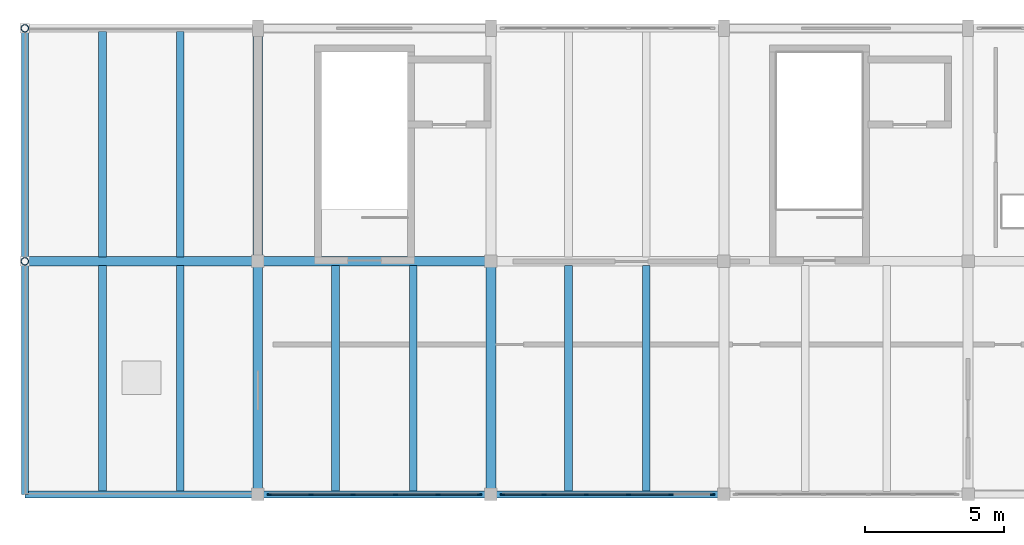
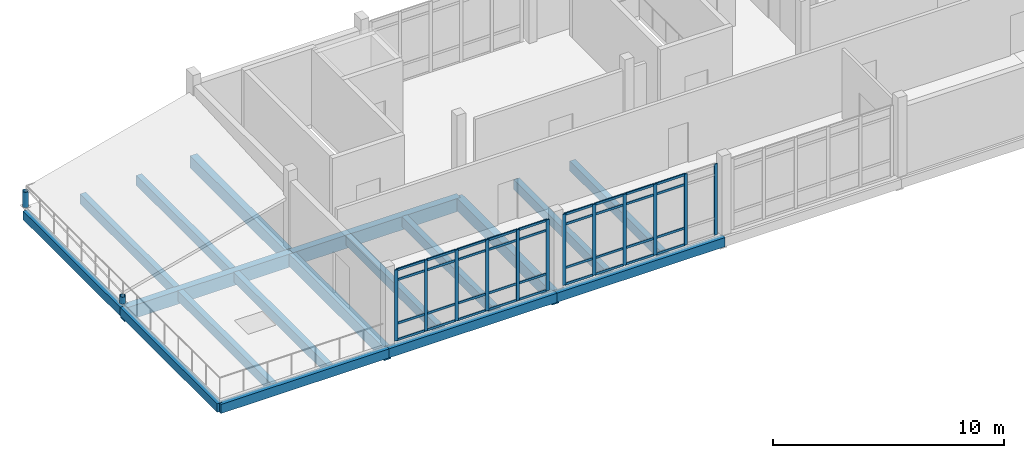
# One storey, part 2 of 13: 48 members, 18 beams, 2 columns, 2 elements without a shape of their own.
"""IFC4 building model written with IfcOpenShell, lengths in metres."""

from ifc_helpers import new_model, si_unit, direction, frame, origin, origin_2d, place, context, subcontext, project, spatial, rectangle, hollow_circle, extrude, material, material_profile, profile_set, type_object, element, aggregate, save


model = new_model("IFC4")

# Units and contexts
model_context = context("Model", 3, precision=1e-05, world=origin(), true_north=direction((0.0, 1.0)))
body_context = subcontext(model_context, "Body", "Model", "MODEL_VIEW")
ifc_project = project(units=[si_unit("LENGTHUNIT", "METRE"), si_unit("AREAUNIT", "SQUARE_METRE"), si_unit("VOLUMEUNIT", "CUBIC_METRE"), si_unit("PLANEANGLEUNIT", "RADIAN"), si_unit("MASSUNIT", "GRAM", prefix="KILO")], contexts=[model_context])

# Site, building, storey
site_placement = place(None, origin())
site = spatial("IfcSite", under=ifc_project, at=site_placement, CompositionType="ELEMENT")
building_placement = place(site_placement, origin())
building = spatial("IfcBuilding", under=site, at=building_placement, Name="Cinderway Yard Community Centre", CompositionType="ELEMENT")
storey_placement = place(building_placement, frame((0.0, 0.0, 20.10009765625)))
storey = spatial("IfcBuildingStorey", under=building, at=storey_placement, Name="L05", CompositionType="ELEMENT", Elevation=20.10009765625)

# Columns
ifc_material_1 = material(Name="Steel S355", Category="steel")
ifc_material_profile_1 = material_profile(ifc_material_1, hollow_circle(Radius=0.136474609375, WallThickness=0.012451171875, at=origin_2d()), Name="Steel S355")
ifc_profile_set_1 = profile_set([ifc_material_profile_1], Name="Steel S355")
column_type = type_object("IfcColumnType", Name="STR-POST-CHS273", PredefinedType="PILASTER", material=ifc_profile_set_1)
column_1_placement = place(storey_placement, frame((50.0, 106.800048828125, 0.0), z_axis=(0.0, 0.0, 1.0), x_axis=(1.0, 0.0, 0.0)))
element("IfcColumn", 1, at=column_1_placement, inside=storey, type_object=column_type, Name="V4 SHARD-W edge post 106", PredefinedType="PILASTER", context=body_context, shape_type="SweptSolid", body=[
    extrude(hollow_circle(Radius=0.136474609375, WallThickness=0.012451171875, at=origin_2d()), origin(), (0.0, 0.0, 1.0), 0.369873046875),
])
column_2_placement = place(storey_placement, frame((50.0, 115.199951171875, 0.0), z_axis=(0.0, 0.0, 1.0), x_axis=(1.0, 0.0, 0.0)))
element("IfcColumn", 2, at=column_2_placement, inside=storey, type_object=column_type, Name="V4 SHARD-W edge post 115", PredefinedType="PILASTER", context=body_context, shape_type="SweptSolid", body=[
    extrude(hollow_circle(Radius=0.136474609375, WallThickness=0.012451171875, at=origin_2d()), origin(), (0.0, 0.0, 1.0), 0.81982421875),
])

# Curtain wall, members
ifc_material_2 = material(Name="Aluminium 6063-T6", Category="aluminium")
curtain_wall_type = type_object("IfcCurtainWallType", Name="ENV-CW-TYPE-26", PredefinedType="USERDEFINED", material=ifc_material_2)
curtain_wall_1_placement = place(storey_placement, origin())
curtain_wall_1 = element("IfcCurtainWall", 3, at=curtain_wall_1_placement, inside=storey, type_object=curtain_wall_type, Name="V4 Courtyard Curtain Wall ENV-CW-L05-ST-0188", ObjectType="GLAZED CURTAIN WALL", PredefinedType="USERDEFINED")
ifc_material_profile_2 = material_profile(ifc_material_2, rectangle(XDim=0.06005859375, YDim=0.159912109375, at=origin_2d()), Name="Aluminium 6063-T6")
ifc_profile_set_2 = profile_set([ifc_material_profile_2], Name="Aluminium 6063-T6")
member_type_1 = type_object("IfcMemberType", Name="ENV-CW-MULL-150", PredefinedType="MULLION", material=ifc_profile_set_2)
member_1_placement = place(storey_placement, frame((58.81005859375, 98.39990234375, 0.0), z_axis=(0.0, 0.0, 1.0), x_axis=(0.0, 1.0, 0.0)))
member_1 = element("IfcMember", 4, at=member_1_placement, type_object=member_type_1, Name="CW-26 mullion 1", PredefinedType="MULLION", context=body_context, shape_type="SweptSolid", body=[
    extrude(rectangle(XDim=0.06005859375, YDim=0.159912109375, at=origin_2d()), origin(), (0.0, 0.0, 1.0), 3.75),
])
member_2_placement = place(storey_placement, frame((60.30810546875, 98.39990234375, 0.0), z_axis=(0.0, 0.0, 1.0), x_axis=(0.0, 1.0, 0.0)))
member_2 = element("IfcMember", 5, at=member_2_placement, type_object=member_type_1, Name="CW-26 mullion 2", PredefinedType="MULLION", context=body_context, shape_type="SweptSolid", body=[
    extrude(rectangle(XDim=0.06005859375, YDim=0.159912109375, at=origin_2d()), origin(), (0.0, 0.0, 1.0), 3.75),
])
member_3_placement = place(storey_placement, frame((61.8359375, 98.39990234375, 0.0), z_axis=(0.0, 0.0, 1.0), x_axis=(0.0, 1.0, 0.0)))
member_3 = element("IfcMember", 6, at=member_3_placement, type_object=member_type_1, Name="CW-26 mullion 3", PredefinedType="MULLION", context=body_context, shape_type="SweptSolid", body=[
    extrude(rectangle(XDim=0.06005859375, YDim=0.159912109375, at=origin_2d()), origin(), (0.0, 0.0, 1.0), 3.75),
])
member_4_placement = place(storey_placement, frame((63.364013671875, 98.39990234375, 0.0), z_axis=(0.0, 0.0, 1.0), x_axis=(0.0, 1.0, 0.0)))
member_4 = element("IfcMember", 7, at=member_4_placement, type_object=member_type_1, Name="CW-26 mullion 4", PredefinedType="MULLION", context=body_context, shape_type="SweptSolid", body=[
    extrude(rectangle(XDim=0.06005859375, YDim=0.159912109375, at=origin_2d()), origin(), (0.0, 0.0, 1.0), 3.75),
])
member_5_placement = place(storey_placement, frame((64.89208984375, 98.39990234375, 0.0), z_axis=(0.0, 0.0, 1.0), x_axis=(0.0, 1.0, 0.0)))
member_5 = element("IfcMember", 8, at=member_5_placement, type_object=member_type_1, Name="CW-26 mullion 5", PredefinedType="MULLION", context=body_context, shape_type="SweptSolid", body=[
    extrude(rectangle(XDim=0.06005859375, YDim=0.159912109375, at=origin_2d()), origin(), (0.0, 0.0, 1.0), 3.75),
])
member_6_placement = place(storey_placement, frame((66.389892578125, 98.39990234375, 0.0), z_axis=(0.0, 0.0, 1.0), x_axis=(0.0, 1.0, 0.0)))
member_6 = element("IfcMember", 9, at=member_6_placement, type_object=member_type_1, Name="CW-26 mullion 6", PredefinedType="MULLION", context=body_context, shape_type="SweptSolid", body=[
    extrude(rectangle(XDim=0.06005859375, YDim=0.159912109375, at=origin_2d()), origin(), (0.0, 0.0, 1.0), 3.75),
])

curtain_wall_2_placement = place(storey_placement, origin())
curtain_wall_2 = element("IfcCurtainWall", 10, at=curtain_wall_2_placement, inside=storey, type_object=curtain_wall_type, Name="V4 Courtyard Curtain Wall ENV-CW-L05-ST-0190", ObjectType="GLAZED CURTAIN WALL", PredefinedType="USERDEFINED")
member_7_placement = place(storey_placement, frame((67.2099609375, 98.39990234375, 0.0), z_axis=(0.0, 0.0, 1.0), x_axis=(0.0, 1.0, 0.0)))
member_7 = element("IfcMember", 11, at=member_7_placement, type_object=member_type_1, Name="CW-26 mullion 1", PredefinedType="MULLION", context=body_context, shape_type="SweptSolid", body=[
    extrude(rectangle(XDim=0.06005859375, YDim=0.159912109375, at=origin_2d()), origin(), (0.0, 0.0, 1.0), 3.75),
])
member_8_placement = place(storey_placement, frame((68.7080078125, 98.39990234375, 0.0), z_axis=(0.0, 0.0, 1.0), x_axis=(0.0, 1.0, 0.0)))
member_8 = element("IfcMember", 12, at=member_8_placement, type_object=member_type_1, Name="CW-26 mullion 2", PredefinedType="MULLION", context=body_context, shape_type="SweptSolid", body=[
    extrude(rectangle(XDim=0.06005859375, YDim=0.159912109375, at=origin_2d()), origin(), (0.0, 0.0, 1.0), 3.75),
])
member_9_placement = place(storey_placement, frame((70.236083984375, 98.39990234375, 0.0), z_axis=(0.0, 0.0, 1.0), x_axis=(0.0, 1.0, 0.0)))
member_9 = element("IfcMember", 13, at=member_9_placement, type_object=member_type_1, Name="CW-26 mullion 3", PredefinedType="MULLION", context=body_context, shape_type="SweptSolid", body=[
    extrude(rectangle(XDim=0.06005859375, YDim=0.159912109375, at=origin_2d()), origin(), (0.0, 0.0, 1.0), 3.75),
])
member_10_placement = place(storey_placement, frame((71.763916015625, 98.39990234375, 0.0), z_axis=(0.0, 0.0, 1.0), x_axis=(0.0, 1.0, 0.0)))
member_10 = element("IfcMember", 14, at=member_10_placement, type_object=member_type_1, Name="CW-26 mullion 4", PredefinedType="MULLION", context=body_context, shape_type="SweptSolid", body=[
    extrude(rectangle(XDim=0.06005859375, YDim=0.159912109375, at=origin_2d()), origin(), (0.0, 0.0, 1.0), 3.75),
])
member_11_placement = place(storey_placement, frame((73.2919921875, 98.39990234375, 0.0), z_axis=(0.0, 0.0, 1.0), x_axis=(0.0, 1.0, 0.0)))
member_11 = element("IfcMember", 15, at=member_11_placement, type_object=member_type_1, Name="CW-26 mullion 5", PredefinedType="MULLION", context=body_context, shape_type="SweptSolid", body=[
    extrude(rectangle(XDim=0.06005859375, YDim=0.159912109375, at=origin_2d()), origin(), (0.0, 0.0, 1.0), 3.75),
])
member_12_placement = place(storey_placement, frame((74.7900390625, 98.39990234375, 0.0), z_axis=(0.0, 0.0, 1.0), x_axis=(0.0, 1.0, 0.0)))
member_12 = element("IfcMember", 16, at=member_12_placement, type_object=member_type_1, Name="CW-26 mullion 6", PredefinedType="MULLION", context=body_context, shape_type="SweptSolid", body=[
    extrude(rectangle(XDim=0.06005859375, YDim=0.159912109375, at=origin_2d()), origin(), (0.0, 0.0, 1.0), 3.75),
])

# Member
ifc_material_profile_3 = material_profile(ifc_material_2, rectangle(XDim=0.06005859375, YDim=0.1201171875, at=origin_2d()), Name="Aluminium 6063-T6")
ifc_profile_set_3 = profile_set([ifc_material_profile_3], Name="Aluminium 6063-T6")
member_type_2 = type_object("IfcMemberType", Name="ENV-CW-TRAN-110", PredefinedType="USERDEFINED", material=ifc_profile_set_3)
member_13_placement = place(storey_placement, frame((58.840087890625, 98.39990234375, 0.02978515625), z_axis=(1.0, 0.0, 0.0), x_axis=(0.0, 1.0, 0.0)))
member_13 = element("IfcMember", 17, at=member_13_placement, type_object=member_type_2, Name="CW-26 transom 1.1", ObjectType="TRANSOM", PredefinedType="USERDEFINED", context=body_context, shape_type="SweptSolid", body=[
    extrude(rectangle(XDim=0.06005859375, YDim=0.1201171875, at=origin_2d()), origin(), (0.0, 0.0, 1.0), 1.43798828125),
])

member_14_placement = place(storey_placement, frame((58.840087890625, 98.39990234375, 0.89990234375), z_axis=(1.0, 0.0, 0.0), x_axis=(0.0, 1.0, 0.0)))
member_14 = element("IfcMember", 18, at=member_14_placement, type_object=member_type_2, Name="CW-26 transom 1.2", ObjectType="TRANSOM", PredefinedType="USERDEFINED", context=body_context, shape_type="SweptSolid", body=[
    extrude(rectangle(XDim=0.06005859375, YDim=0.1201171875, at=origin_2d()), origin(), (0.0, 0.0, 1.0), 1.43798828125),
])

member_15_placement = place(storey_placement, frame((58.840087890625, 98.39990234375, 3.199951171875), z_axis=(1.0, 0.0, 0.0), x_axis=(0.0, 1.0, 0.0)))
member_15 = element("IfcMember", 19, at=member_15_placement, type_object=member_type_2, Name="CW-26 transom 1.3", ObjectType="TRANSOM", PredefinedType="USERDEFINED", context=body_context, shape_type="SweptSolid", body=[
    extrude(rectangle(XDim=0.06005859375, YDim=0.1201171875, at=origin_2d()), origin(), (0.0, 0.0, 1.0), 1.43798828125),
])

member_16_placement = place(storey_placement, frame((58.840087890625, 98.39990234375, 3.719970703125), z_axis=(1.0, 0.0, 0.0), x_axis=(0.0, 1.0, 0.0)))
member_16 = element("IfcMember", 20, at=member_16_placement, type_object=member_type_2, Name="CW-26 transom 1.4", ObjectType="TRANSOM", PredefinedType="USERDEFINED", context=body_context, shape_type="SweptSolid", body=[
    extrude(rectangle(XDim=0.06005859375, YDim=0.1201171875, at=origin_2d()), origin(), (0.0, 0.0, 1.0), 1.43798828125),
])

member_17_placement = place(storey_placement, frame((60.337890625, 98.39990234375, 0.02978515625), z_axis=(1.0, 0.0, 0.0), x_axis=(0.0, 1.0, 0.0)))
member_17 = element("IfcMember", 21, at=member_17_placement, type_object=member_type_2, Name="CW-26 transom 2.1", ObjectType="TRANSOM", PredefinedType="USERDEFINED", context=body_context, shape_type="SweptSolid", body=[
    extrude(rectangle(XDim=0.06005859375, YDim=0.1201171875, at=origin_2d()), origin(), (0.0, 0.0, 1.0), 1.468017578125),
])

member_18_placement = place(storey_placement, frame((60.337890625, 98.39990234375, 0.89990234375), z_axis=(1.0, 0.0, 0.0), x_axis=(0.0, 1.0, 0.0)))
member_18 = element("IfcMember", 22, at=member_18_placement, type_object=member_type_2, Name="CW-26 transom 2.2", ObjectType="TRANSOM", PredefinedType="USERDEFINED", context=body_context, shape_type="SweptSolid", body=[
    extrude(rectangle(XDim=0.06005859375, YDim=0.1201171875, at=origin_2d()), origin(), (0.0, 0.0, 1.0), 1.468017578125),
])

member_19_placement = place(storey_placement, frame((60.337890625, 98.39990234375, 3.199951171875), z_axis=(1.0, 0.0, 0.0), x_axis=(0.0, 1.0, 0.0)))
member_19 = element("IfcMember", 23, at=member_19_placement, type_object=member_type_2, Name="CW-26 transom 2.3", ObjectType="TRANSOM", PredefinedType="USERDEFINED", context=body_context, shape_type="SweptSolid", body=[
    extrude(rectangle(XDim=0.06005859375, YDim=0.1201171875, at=origin_2d()), origin(), (0.0, 0.0, 1.0), 1.468017578125),
])

member_20_placement = place(storey_placement, frame((60.337890625, 98.39990234375, 3.719970703125), z_axis=(1.0, 0.0, 0.0), x_axis=(0.0, 1.0, 0.0)))
member_20 = element("IfcMember", 24, at=member_20_placement, type_object=member_type_2, Name="CW-26 transom 2.4", ObjectType="TRANSOM", PredefinedType="USERDEFINED", context=body_context, shape_type="SweptSolid", body=[
    extrude(rectangle(XDim=0.06005859375, YDim=0.1201171875, at=origin_2d()), origin(), (0.0, 0.0, 1.0), 1.468017578125),
])

member_21_placement = place(storey_placement, frame((61.865966796875, 98.39990234375, 0.02978515625), z_axis=(1.0, 0.0, 0.0), x_axis=(0.0, 1.0, 0.0)))
member_21 = element("IfcMember", 25, at=member_21_placement, type_object=member_type_2, Name="CW-26 transom 3.1", ObjectType="TRANSOM", PredefinedType="USERDEFINED", context=body_context, shape_type="SweptSolid", body=[
    extrude(rectangle(XDim=0.06005859375, YDim=0.1201171875, at=origin_2d()), origin(), (0.0, 0.0, 1.0), 1.468017578125),
])

member_22_placement = place(storey_placement, frame((61.865966796875, 98.39990234375, 0.89990234375), z_axis=(1.0, 0.0, 0.0), x_axis=(0.0, 1.0, 0.0)))
member_22 = element("IfcMember", 26, at=member_22_placement, type_object=member_type_2, Name="CW-26 transom 3.2", ObjectType="TRANSOM", PredefinedType="USERDEFINED", context=body_context, shape_type="SweptSolid", body=[
    extrude(rectangle(XDim=0.06005859375, YDim=0.1201171875, at=origin_2d()), origin(), (0.0, 0.0, 1.0), 1.468017578125),
])

member_23_placement = place(storey_placement, frame((61.865966796875, 98.39990234375, 3.199951171875), z_axis=(1.0, 0.0, 0.0), x_axis=(0.0, 1.0, 0.0)))
member_23 = element("IfcMember", 27, at=member_23_placement, type_object=member_type_2, Name="CW-26 transom 3.3", ObjectType="TRANSOM", PredefinedType="USERDEFINED", context=body_context, shape_type="SweptSolid", body=[
    extrude(rectangle(XDim=0.06005859375, YDim=0.1201171875, at=origin_2d()), origin(), (0.0, 0.0, 1.0), 1.468017578125),
])

member_24_placement = place(storey_placement, frame((61.865966796875, 98.39990234375, 3.719970703125), z_axis=(1.0, 0.0, 0.0), x_axis=(0.0, 1.0, 0.0)))
member_24 = element("IfcMember", 28, at=member_24_placement, type_object=member_type_2, Name="CW-26 transom 3.4", ObjectType="TRANSOM", PredefinedType="USERDEFINED", context=body_context, shape_type="SweptSolid", body=[
    extrude(rectangle(XDim=0.06005859375, YDim=0.1201171875, at=origin_2d()), origin(), (0.0, 0.0, 1.0), 1.468017578125),
])

member_25_placement = place(storey_placement, frame((63.39404296875, 98.39990234375, 0.02978515625), z_axis=(1.0, 0.0, 0.0), x_axis=(0.0, 1.0, 0.0)))
member_25 = element("IfcMember", 29, at=member_25_placement, type_object=member_type_2, Name="CW-26 transom 4.1", ObjectType="TRANSOM", PredefinedType="USERDEFINED", context=body_context, shape_type="SweptSolid", body=[
    extrude(rectangle(XDim=0.06005859375, YDim=0.1201171875, at=origin_2d()), origin(), (0.0, 0.0, 1.0), 1.468017578125),
])

member_26_placement = place(storey_placement, frame((63.39404296875, 98.39990234375, 0.89990234375), z_axis=(1.0, 0.0, 0.0), x_axis=(0.0, 1.0, 0.0)))
member_26 = element("IfcMember", 30, at=member_26_placement, type_object=member_type_2, Name="CW-26 transom 4.2", ObjectType="TRANSOM", PredefinedType="USERDEFINED", context=body_context, shape_type="SweptSolid", body=[
    extrude(rectangle(XDim=0.06005859375, YDim=0.1201171875, at=origin_2d()), origin(), (0.0, 0.0, 1.0), 1.468017578125),
])

member_27_placement = place(storey_placement, frame((63.39404296875, 98.39990234375, 3.199951171875), z_axis=(1.0, 0.0, 0.0), x_axis=(0.0, 1.0, 0.0)))
member_27 = element("IfcMember", 31, at=member_27_placement, type_object=member_type_2, Name="CW-26 transom 4.3", ObjectType="TRANSOM", PredefinedType="USERDEFINED", context=body_context, shape_type="SweptSolid", body=[
    extrude(rectangle(XDim=0.06005859375, YDim=0.1201171875, at=origin_2d()), origin(), (0.0, 0.0, 1.0), 1.468017578125),
])

member_28_placement = place(storey_placement, frame((63.39404296875, 98.39990234375, 3.719970703125), z_axis=(1.0, 0.0, 0.0), x_axis=(0.0, 1.0, 0.0)))
member_28 = element("IfcMember", 32, at=member_28_placement, type_object=member_type_2, Name="CW-26 transom 4.4", ObjectType="TRANSOM", PredefinedType="USERDEFINED", context=body_context, shape_type="SweptSolid", body=[
    extrude(rectangle(XDim=0.06005859375, YDim=0.1201171875, at=origin_2d()), origin(), (0.0, 0.0, 1.0), 1.468017578125),
])

member_29_placement = place(storey_placement, frame((64.922119140625, 98.39990234375, 0.02978515625), z_axis=(1.0, 0.0, 0.0), x_axis=(0.0, 1.0, 0.0)))
member_29 = element("IfcMember", 33, at=member_29_placement, type_object=member_type_2, Name="CW-26 transom 5.1", ObjectType="TRANSOM", PredefinedType="USERDEFINED", context=body_context, shape_type="SweptSolid", body=[
    extrude(rectangle(XDim=0.06005859375, YDim=0.1201171875, at=origin_2d()), origin(), (0.0, 0.0, 1.0), 1.43798828125),
])

member_30_placement = place(storey_placement, frame((64.922119140625, 98.39990234375, 0.89990234375), z_axis=(1.0, 0.0, 0.0), x_axis=(0.0, 1.0, 0.0)))
member_30 = element("IfcMember", 34, at=member_30_placement, type_object=member_type_2, Name="CW-26 transom 5.2", ObjectType="TRANSOM", PredefinedType="USERDEFINED", context=body_context, shape_type="SweptSolid", body=[
    extrude(rectangle(XDim=0.06005859375, YDim=0.1201171875, at=origin_2d()), origin(), (0.0, 0.0, 1.0), 1.43798828125),
])

member_31_placement = place(storey_placement, frame((64.922119140625, 98.39990234375, 3.199951171875), z_axis=(1.0, 0.0, 0.0), x_axis=(0.0, 1.0, 0.0)))
member_31 = element("IfcMember", 35, at=member_31_placement, type_object=member_type_2, Name="CW-26 transom 5.3", ObjectType="TRANSOM", PredefinedType="USERDEFINED", context=body_context, shape_type="SweptSolid", body=[
    extrude(rectangle(XDim=0.06005859375, YDim=0.1201171875, at=origin_2d()), origin(), (0.0, 0.0, 1.0), 1.43798828125),
])

member_32_placement = place(storey_placement, frame((64.922119140625, 98.39990234375, 3.719970703125), z_axis=(1.0, 0.0, 0.0), x_axis=(0.0, 1.0, 0.0)))
member_32 = element("IfcMember", 36, at=member_32_placement, type_object=member_type_2, Name="CW-26 transom 5.4", ObjectType="TRANSOM", PredefinedType="USERDEFINED", context=body_context, shape_type="SweptSolid", body=[
    extrude(rectangle(XDim=0.06005859375, YDim=0.1201171875, at=origin_2d()), origin(), (0.0, 0.0, 1.0), 1.43798828125),
])

aggregate(curtain_wall_1, [member_1, member_2, member_3, member_4, member_5, member_6, member_13, member_14, member_15, member_16, member_17, member_18, member_19, member_20, member_21, member_22, member_23, member_24, member_25, member_26, member_27, member_28, member_29, member_30, member_31, member_32])

member_33_placement = place(storey_placement, frame((67.239990234375, 98.39990234375, 0.02978515625), z_axis=(1.0, 0.0, 0.0), x_axis=(0.0, 1.0, 0.0)))
member_33 = element("IfcMember", 37, at=member_33_placement, type_object=member_type_2, Name="CW-26 transom 1.1", ObjectType="TRANSOM", PredefinedType="USERDEFINED", context=body_context, shape_type="SweptSolid", body=[
    extrude(rectangle(XDim=0.06005859375, YDim=0.1201171875, at=origin_2d()), origin(), (0.0, 0.0, 1.0), 1.43798828125),
])

member_34_placement = place(storey_placement, frame((67.239990234375, 98.39990234375, 0.89990234375), z_axis=(1.0, 0.0, 0.0), x_axis=(0.0, 1.0, 0.0)))
member_34 = element("IfcMember", 38, at=member_34_placement, type_object=member_type_2, Name="CW-26 transom 1.2", ObjectType="TRANSOM", PredefinedType="USERDEFINED", context=body_context, shape_type="SweptSolid", body=[
    extrude(rectangle(XDim=0.06005859375, YDim=0.1201171875, at=origin_2d()), origin(), (0.0, 0.0, 1.0), 1.43798828125),
])

member_35_placement = place(storey_placement, frame((67.239990234375, 98.39990234375, 3.199951171875), z_axis=(1.0, 0.0, 0.0), x_axis=(0.0, 1.0, 0.0)))
member_35 = element("IfcMember", 39, at=member_35_placement, type_object=member_type_2, Name="CW-26 transom 1.3", ObjectType="TRANSOM", PredefinedType="USERDEFINED", context=body_context, shape_type="SweptSolid", body=[
    extrude(rectangle(XDim=0.06005859375, YDim=0.1201171875, at=origin_2d()), origin(), (0.0, 0.0, 1.0), 1.43798828125),
])

member_36_placement = place(storey_placement, frame((67.239990234375, 98.39990234375, 3.719970703125), z_axis=(1.0, 0.0, 0.0), x_axis=(0.0, 1.0, 0.0)))
member_36 = element("IfcMember", 40, at=member_36_placement, type_object=member_type_2, Name="CW-26 transom 1.4", ObjectType="TRANSOM", PredefinedType="USERDEFINED", context=body_context, shape_type="SweptSolid", body=[
    extrude(rectangle(XDim=0.06005859375, YDim=0.1201171875, at=origin_2d()), origin(), (0.0, 0.0, 1.0), 1.43798828125),
])

member_37_placement = place(storey_placement, frame((68.738037109375, 98.39990234375, 0.02978515625), z_axis=(1.0, 0.0, 0.0), x_axis=(0.0, 1.0, 0.0)))
member_37 = element("IfcMember", 41, at=member_37_placement, type_object=member_type_2, Name="CW-26 transom 2.1", ObjectType="TRANSOM", PredefinedType="USERDEFINED", context=body_context, shape_type="SweptSolid", body=[
    extrude(rectangle(XDim=0.06005859375, YDim=0.1201171875, at=origin_2d()), origin(), (0.0, 0.0, 1.0), 1.468017578125),
])

member_38_placement = place(storey_placement, frame((68.738037109375, 98.39990234375, 0.89990234375), z_axis=(1.0, 0.0, 0.0), x_axis=(0.0, 1.0, 0.0)))
member_38 = element("IfcMember", 42, at=member_38_placement, type_object=member_type_2, Name="CW-26 transom 2.2", ObjectType="TRANSOM", PredefinedType="USERDEFINED", context=body_context, shape_type="SweptSolid", body=[
    extrude(rectangle(XDim=0.06005859375, YDim=0.1201171875, at=origin_2d()), origin(), (0.0, 0.0, 1.0), 1.468017578125),
])

member_39_placement = place(storey_placement, frame((68.738037109375, 98.39990234375, 3.199951171875), z_axis=(1.0, 0.0, 0.0), x_axis=(0.0, 1.0, 0.0)))
member_39 = element("IfcMember", 43, at=member_39_placement, type_object=member_type_2, Name="CW-26 transom 2.3", ObjectType="TRANSOM", PredefinedType="USERDEFINED", context=body_context, shape_type="SweptSolid", body=[
    extrude(rectangle(XDim=0.06005859375, YDim=0.1201171875, at=origin_2d()), origin(), (0.0, 0.0, 1.0), 1.468017578125),
])

member_40_placement = place(storey_placement, frame((68.738037109375, 98.39990234375, 3.719970703125), z_axis=(1.0, 0.0, 0.0), x_axis=(0.0, 1.0, 0.0)))
member_40 = element("IfcMember", 44, at=member_40_placement, type_object=member_type_2, Name="CW-26 transom 2.4", ObjectType="TRANSOM", PredefinedType="USERDEFINED", context=body_context, shape_type="SweptSolid", body=[
    extrude(rectangle(XDim=0.06005859375, YDim=0.1201171875, at=origin_2d()), origin(), (0.0, 0.0, 1.0), 1.468017578125),
])

member_41_placement = place(storey_placement, frame((70.26611328125, 98.39990234375, 0.02978515625), z_axis=(1.0, 0.0, 0.0), x_axis=(0.0, 1.0, 0.0)))
member_41 = element("IfcMember", 45, at=member_41_placement, type_object=member_type_2, Name="CW-26 transom 3.1", ObjectType="TRANSOM", PredefinedType="USERDEFINED", context=body_context, shape_type="SweptSolid", body=[
    extrude(rectangle(XDim=0.06005859375, YDim=0.1201171875, at=origin_2d()), origin(), (0.0, 0.0, 1.0), 1.4677734375),
])

member_42_placement = place(storey_placement, frame((70.26611328125, 98.39990234375, 0.89990234375), z_axis=(1.0, 0.0, 0.0), x_axis=(0.0, 1.0, 0.0)))
member_42 = element("IfcMember", 46, at=member_42_placement, type_object=member_type_2, Name="CW-26 transom 3.2", ObjectType="TRANSOM", PredefinedType="USERDEFINED", context=body_context, shape_type="SweptSolid", body=[
    extrude(rectangle(XDim=0.06005859375, YDim=0.1201171875, at=origin_2d()), origin(), (0.0, 0.0, 1.0), 1.4677734375),
])

member_43_placement = place(storey_placement, frame((70.26611328125, 98.39990234375, 3.199951171875), z_axis=(1.0, 0.0, 0.0), x_axis=(0.0, 1.0, 0.0)))
member_43 = element("IfcMember", 47, at=member_43_placement, type_object=member_type_2, Name="CW-26 transom 3.3", ObjectType="TRANSOM", PredefinedType="USERDEFINED", context=body_context, shape_type="SweptSolid", body=[
    extrude(rectangle(XDim=0.06005859375, YDim=0.1201171875, at=origin_2d()), origin(), (0.0, 0.0, 1.0), 1.4677734375),
])

member_44_placement = place(storey_placement, frame((70.26611328125, 98.39990234375, 3.719970703125), z_axis=(1.0, 0.0, 0.0), x_axis=(0.0, 1.0, 0.0)))
member_44 = element("IfcMember", 48, at=member_44_placement, type_object=member_type_2, Name="CW-26 transom 3.4", ObjectType="TRANSOM", PredefinedType="USERDEFINED", context=body_context, shape_type="SweptSolid", body=[
    extrude(rectangle(XDim=0.06005859375, YDim=0.1201171875, at=origin_2d()), origin(), (0.0, 0.0, 1.0), 1.4677734375),
])

member_45_placement = place(storey_placement, frame((71.7939453125, 98.39990234375, 0.02978515625), z_axis=(1.0, 0.0, 0.0), x_axis=(0.0, 1.0, 0.0)))
member_45 = element("IfcMember", 49, at=member_45_placement, type_object=member_type_2, Name="CW-26 transom 4.1", ObjectType="TRANSOM", PredefinedType="USERDEFINED", context=body_context, shape_type="SweptSolid", body=[
    extrude(rectangle(XDim=0.06005859375, YDim=0.1201171875, at=origin_2d()), origin(), (0.0, 0.0, 1.0), 1.468017578125),
])

member_46_placement = place(storey_placement, frame((71.7939453125, 98.39990234375, 0.89990234375), z_axis=(1.0, 0.0, 0.0), x_axis=(0.0, 1.0, 0.0)))
member_46 = element("IfcMember", 50, at=member_46_placement, type_object=member_type_2, Name="CW-26 transom 4.2", ObjectType="TRANSOM", PredefinedType="USERDEFINED", context=body_context, shape_type="SweptSolid", body=[
    extrude(rectangle(XDim=0.06005859375, YDim=0.1201171875, at=origin_2d()), origin(), (0.0, 0.0, 1.0), 1.468017578125),
])

member_47_placement = place(storey_placement, frame((71.7939453125, 98.39990234375, 3.199951171875), z_axis=(1.0, 0.0, 0.0), x_axis=(0.0, 1.0, 0.0)))
member_47 = element("IfcMember", 51, at=member_47_placement, type_object=member_type_2, Name="CW-26 transom 4.3", ObjectType="TRANSOM", PredefinedType="USERDEFINED", context=body_context, shape_type="SweptSolid", body=[
    extrude(rectangle(XDim=0.06005859375, YDim=0.1201171875, at=origin_2d()), origin(), (0.0, 0.0, 1.0), 1.468017578125),
])

member_48_placement = place(storey_placement, frame((71.7939453125, 98.39990234375, 3.719970703125), z_axis=(1.0, 0.0, 0.0), x_axis=(0.0, 1.0, 0.0)))
member_48 = element("IfcMember", 52, at=member_48_placement, type_object=member_type_2, Name="CW-26 transom 4.4", ObjectType="TRANSOM", PredefinedType="USERDEFINED", context=body_context, shape_type="SweptSolid", body=[
    extrude(rectangle(XDim=0.06005859375, YDim=0.1201171875, at=origin_2d()), origin(), (0.0, 0.0, 1.0), 1.468017578125),
])

aggregate(curtain_wall_2, [member_7, member_8, member_9, member_10, member_11, member_12, member_33, member_34, member_35, member_36, member_37, member_38, member_39, member_40, member_41, member_42, member_43, member_44, member_45, member_46, member_47, member_48])

# Beams
ifc_material_3 = material(Name="Concrete C40/50", Category="concrete")
ifc_material_profile_4 = material_profile(ifc_material_3, rectangle(XDim=0.25, YDim=0.449951171875, at=origin_2d()), Name="Concrete C40/50")
ifc_profile_set_4 = profile_set([ifc_material_profile_4], Name="Concrete C40/50")
beam_type_1 = type_object("IfcBeamType", Name="STR-BM-RC250X450", PredefinedType="SPANDREL", material=ifc_profile_set_4)
beam_1_placement = place(storey_placement, frame((50.0, 98.39990234375, -0.445068359375), z_axis=(0.0, 1.0, 0.0), x_axis=(-1.0, 0.0, 0.0)))
element("IfcBeam", 53, at=beam_1_placement, inside=storey, type_object=beam_type_1, Name="Transverse girder STR-BM-L05-SP02-0949", PredefinedType="SPANDREL", context=body_context, shape_type="SweptSolid", body=[
    extrude(rectangle(XDim=0.25, YDim=0.449951171875, at=origin_2d()), origin(), (0.0, 0.0, 1.0), 8.400146484375),
])
beam_2_placement = place(storey_placement, frame((50.0, 106.800048828125, -0.445068359375), z_axis=(0.0, 1.0, 0.0), x_axis=(-1.0, 0.0, 0.0)))
element("IfcBeam", 54, at=beam_2_placement, inside=storey, type_object=beam_type_1, Name="Transverse girder STR-BM-L05-SP02-0950", PredefinedType="SPANDREL", context=body_context, shape_type="SweptSolid", body=[
    extrude(rectangle(XDim=0.25, YDim=0.449951171875, at=origin_2d()), origin(), (0.0, 0.0, 1.0), 8.39990234375),
])
ifc_material_profile_5 = material_profile(ifc_material_3, rectangle(XDim=0.260009765625, YDim=0.47998046875, at=origin_2d()), Name="Concrete C40/50")
ifc_profile_set_5 = profile_set([ifc_material_profile_5], Name="Concrete C40/50")
beam_type_2 = type_object("IfcBeamType", Name="STR-BM-RC260X480", PredefinedType="SPANDREL", material=ifc_profile_set_5)
beam_3_placement = place(storey_placement, frame((50.0, 98.39990234375, -0.460205078125), z_axis=(1.0, 0.0, 0.0), x_axis=(0.0, 1.0, 0.0)))
element("IfcBeam", 55, at=beam_3_placement, inside=storey, type_object=beam_type_2, Name="Primary girder STR-BM-L05-SP01-0922", PredefinedType="SPANDREL", context=body_context, shape_type="SweptSolid", body=[
    extrude(rectangle(XDim=0.260009765625, YDim=0.47998046875, at=origin_2d()), origin(), (0.0, 0.0, 1.0), 8.39990234375),
])
beam_4_placement = place(storey_placement, frame((58.39990234375, 98.39990234375, -0.460205078125), z_axis=(1.0, 0.0, 0.0), x_axis=(0.0, 1.0, 0.0)))
element("IfcBeam", 56, at=beam_4_placement, inside=storey, type_object=beam_type_2, Name="Primary girder STR-BM-L05-SP01-0923", PredefinedType="SPANDREL", context=body_context, shape_type="SweptSolid", body=[
    extrude(rectangle(XDim=0.260009765625, YDim=0.47998046875, at=origin_2d()), origin(), (0.0, 0.0, 1.0), 8.400146484375),
])
beam_5_placement = place(storey_placement, frame((66.800048828125, 98.39990234375, -0.460205078125), z_axis=(1.0, 0.0, 0.0), x_axis=(0.0, 1.0, 0.0)))
element("IfcBeam", 57, at=beam_5_placement, inside=storey, type_object=beam_type_2, Name="Primary girder STR-BM-L05-SP01-0924", PredefinedType="SPANDREL", context=body_context, shape_type="SweptSolid", body=[
    extrude(rectangle(XDim=0.260009765625, YDim=0.47998046875, at=origin_2d()), origin(), (0.0, 0.0, 1.0), 8.39990234375),
])
ifc_material_4 = material(Name="Concrete C35/45", Category="concrete")
ifc_material_profile_6 = material_profile(ifc_material_4, rectangle(XDim=0.280029296875, YDim=0.52001953125, at=origin_2d()), Name="Concrete C35/45")
ifc_profile_set_6 = profile_set([ifc_material_profile_6], Name="Concrete C35/45")
beam_type_3 = type_object("IfcBeamType", Name="STR-BM-RC280X520", PredefinedType="JOIST", material=ifc_profile_set_6)
for number, where, z_axis, x_axis, name in (
    (58, (52.800048828125, 98.511962890625, -0.47998046875), (0.0, 1.0, 0.0), (-1.0, 0.0, 0.0), "Secondary joist STR-BM-L05-BJ04-0969"),
    (59, (55.60009765625, 98.511962890625, -0.47998046875), (0.0, 1.0, 0.0), (-1.0, 0.0, 0.0), "Secondary joist STR-BM-L05-BJ04-0970"),
):
    element("IfcBeam", number, at=place(storey_placement, frame(where, z_axis=z_axis, x_axis=x_axis)), inside=storey, type_object=beam_type_3, Name=name, PredefinedType="JOIST", context=body_context, shape_type="SweptSolid", body=[
        extrude(rectangle(XDim=0.280029296875, YDim=0.52001953125, at=origin_2d()), origin(), (0.0, 0.0, 1.0), 8.131103515625),
    ])
for number, where, z_axis, x_axis, name in (
    (60, (52.800048828125, 106.95703125, -0.47998046875), (0.0, 1.0, 0.0), (-1.0, 0.0, 0.0), "Secondary joist STR-BM-L05-BJ04-0971"),
    (61, (55.60009765625, 106.95703125, -0.47998046875), (0.0, 1.0, 0.0), (-1.0, 0.0, 0.0), "Secondary joist STR-BM-L05-BJ04-0972"),
):
    element("IfcBeam", number, at=place(storey_placement, frame(where, z_axis=z_axis, x_axis=x_axis)), inside=storey, type_object=beam_type_3, Name=name, PredefinedType="JOIST", context=body_context, shape_type="SweptSolid", body=[
        extrude(rectangle(XDim=0.280029296875, YDim=0.52001953125, at=origin_2d()), origin(), (0.0, 0.0, 1.0), 8.130859375),
    ])
for number, where, z_axis, x_axis, name in (
    (62, (61.199951171875, 98.511962890625, -0.47998046875), (0.0, 1.0, 0.0), (-1.0, 0.0, 0.0), "Secondary joist STR-BM-L05-BJ04-0973"),
    (63, (64.0, 98.511962890625, -0.47998046875), (0.0, 1.0, 0.0), (-1.0, 0.0, 0.0), "Secondary joist STR-BM-L05-BJ04-0974"),
    (64, (69.60009765625, 98.511962890625, -0.47998046875), (0.0, 1.0, 0.0), (-1.0, 0.0, 0.0), "Secondary joist STR-BM-L05-BJ04-0975"),
    (65, (72.39990234375, 98.511962890625, -0.47998046875), (0.0, 1.0, 0.0), (-1.0, 0.0, 0.0), "Secondary joist STR-BM-L05-BJ04-0976"),
):
    element("IfcBeam", number, at=place(storey_placement, frame(where, z_axis=z_axis, x_axis=x_axis)), inside=storey, type_object=beam_type_3, Name=name, PredefinedType="JOIST", context=body_context, shape_type="SweptSolid", body=[
        extrude(rectangle(XDim=0.280029296875, YDim=0.52001953125, at=origin_2d()), origin(), (0.0, 0.0, 1.0), 8.131103515625),
    ])
ifc_material_profile_7 = material_profile(ifc_material_4, rectangle(XDim=0.35009765625, YDim=0.64990234375, at=origin_2d()), Name="Concrete C35/45")
ifc_profile_set_7 = profile_set([ifc_material_profile_7], Name="Concrete C35/45")
beam_type_4 = type_object("IfcBeamType", Name="STR-BM-RC350X650", PredefinedType="BEAM", material=ifc_profile_set_7)
beam_6_placement = place(storey_placement, frame((58.39990234375, 98.39990234375, -0.545166015625), z_axis=(0.0, 1.0, 0.0), x_axis=(-1.0, 0.0, 0.0)))
element("IfcBeam", 66, at=beam_6_placement, inside=storey, type_object=beam_type_4, Name="Transverse girder STR-BM-L05-BG08-0951", PredefinedType="BEAM", context=body_context, shape_type="SweptSolid", body=[
    extrude(rectangle(XDim=0.35009765625, YDim=0.64990234375, at=origin_2d()), origin(), (0.0, 0.0, 1.0), 8.400146484375),
])
beam_7_placement = place(storey_placement, frame((58.39990234375, 106.800048828125, -0.545166015625), z_axis=(0.0, 1.0, 0.0), x_axis=(-1.0, 0.0, 0.0)))
element("IfcBeam", 67, at=beam_7_placement, inside=storey, type_object=beam_type_4, Name="Transverse girder STR-BM-L05-BG08-0952", PredefinedType="BEAM", context=body_context, shape_type="SweptSolid", body=[
    extrude(rectangle(XDim=0.35009765625, YDim=0.64990234375, at=origin_2d()), origin(), (0.0, 0.0, 1.0), 8.39990234375),
])
beam_8_placement = place(storey_placement, frame((66.800048828125, 98.39990234375, -0.545166015625), z_axis=(0.0, 1.0, 0.0), x_axis=(-1.0, 0.0, 0.0)))
element("IfcBeam", 68, at=beam_8_placement, inside=storey, type_object=beam_type_4, Name="Transverse girder STR-BM-L05-BG08-0953", PredefinedType="BEAM", context=body_context, shape_type="SweptSolid", body=[
    extrude(rectangle(XDim=0.35009765625, YDim=0.64990234375, at=origin_2d()), origin(), (0.0, 0.0, 1.0), 8.400146484375),
])
ifc_material_profile_8 = material_profile(ifc_material_4, rectangle(XDim=0.35009765625, YDim=0.699951171875, at=origin_2d()), Name="Concrete C35/45")
ifc_profile_set_8 = profile_set([ifc_material_profile_8], Name="Concrete C35/45")
beam_type_5 = type_object("IfcBeamType", Name="STR-BM-RC350X700", PredefinedType="BEAM", material=ifc_profile_set_8)
beam_9_placement = place(storey_placement, frame((50.0, 106.800048828125, -0.570068359375), z_axis=(1.0, 0.0, 0.0), x_axis=(0.0, 1.0, 0.0)))
element("IfcBeam", 69, at=beam_9_placement, inside=storey, type_object=beam_type_5, Name="Primary girder STR-BM-L05-BG07-0931", PredefinedType="BEAM", context=body_context, shape_type="SweptSolid", body=[
    extrude(rectangle(XDim=0.35009765625, YDim=0.699951171875, at=origin_2d()), origin(), (0.0, 0.0, 1.0), 8.39990234375),
])
beam_10_placement = place(storey_placement, frame((58.39990234375, 106.800048828125, -0.570068359375), z_axis=(1.0, 0.0, 0.0), x_axis=(0.0, 1.0, 0.0)))
element("IfcBeam", 70, at=beam_10_placement, inside=storey, type_object=beam_type_5, Name="Primary girder STR-BM-L05-BG07-0932", PredefinedType="BEAM", context=body_context, shape_type="SweptSolid", body=[
    extrude(rectangle(XDim=0.35009765625, YDim=0.699951171875, at=origin_2d()), origin(), (0.0, 0.0, 1.0), 8.400146484375),
])

save(model, "model.ifc")
